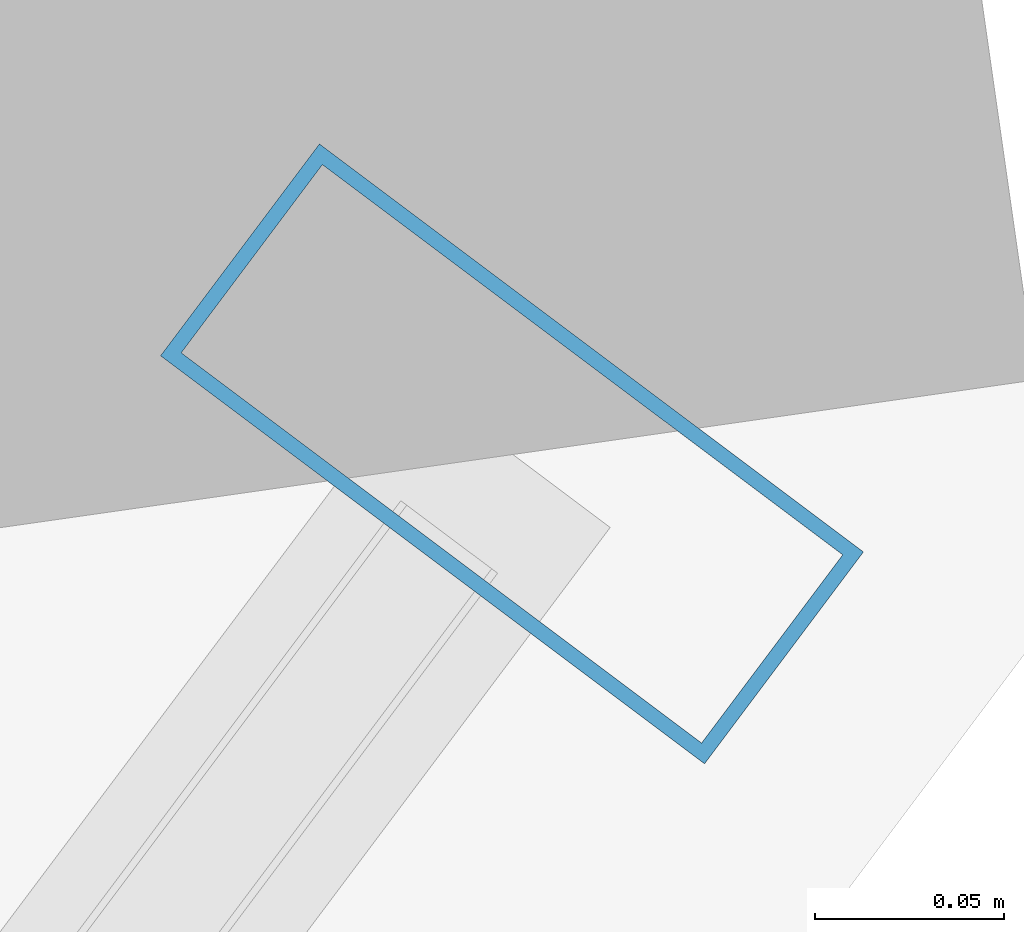
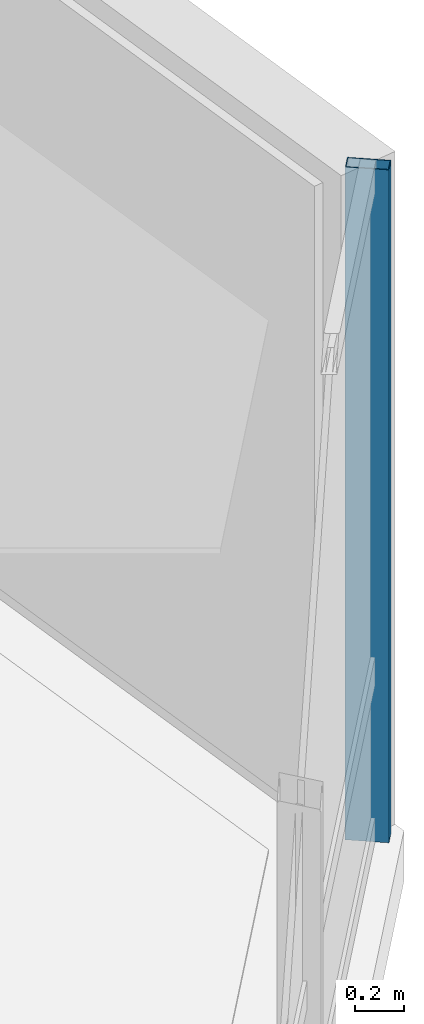
# One storey, part 12 of 30: 1 member, 1 element without a shape of its own.
"""IFC4 building model written with IfcOpenShell, lengths in metres."""

import ifcopenshell
import ifcopenshell.guid

model = None  # the IFC model being written
_history = None  # IfcOwnerHistory: only IFC2X3 demands one
_inside = {}  # id of a spatial element -> (the spatial element, [elements in it])
_under = {}  # id of a project, library or spatial element -> (it, [spatial elements below it])
_declared = {}  # id of a project -> (the project, [libraries it declares])
_typed = {}  # id of a type object -> (the type object, [elements of that type])
_made_of = {}  # id of a material, layer set ... -> (it, [elements and type objects made of it])


def new_model(schema):
    """Start an empty IFC model of exactly this schema.

    Asked for "IFC4X3", IfcOpenShell would pick the latest addendum, in which some entities
    have other attributes; the version numbers below select the first issue.
    IFC2X3 requires an IfcOwnerHistory on every rooted entity: one is made here for all.
    """
    global model, _history
    if schema == "IFC4X3":
        model = ifcopenshell.file(schema_version=(4, 3, 0, 0))
    else:
        model = ifcopenshell.file(schema=schema)
    _inside.clear()
    _under.clear()
    _declared.clear()
    _typed.clear()
    _made_of.clear()
    _history = None
    if model.schema == "IFC2X3":
        org = make("IfcOrganization", Name="unknown")
        user = make(
            "IfcPersonAndOrganization",
            ThePerson=make("IfcPerson", FamilyName="unknown"),
            TheOrganization=org,
        )
        app = make(
            "IfcApplication",
            ApplicationDeveloper=org,
            Version="unknown",
            ApplicationFullName="unknown",
            ApplicationIdentifier="unknown",
        )
        _history = make(
            "IfcOwnerHistory",
            OwningUser=user,
            OwningApplication=app,
            ChangeAction="ADDED",
            CreationDate=0,
        )
    return model


def make(cls, **values):
    """One entity of the class cls with the attributes given. An attribute that is None is left unset."""
    return model.create_entity(
        cls, **{name: value for name, value in values.items() if value is not None}
    )


def rooted(cls, **values):
    """An entity with a GlobalId (a new one), such as an element, a storey or a relation."""
    return make(cls, GlobalId=ifcopenshell.guid.new(), OwnerHistory=_history, **values)


def si_unit(unit_type, name, prefix=None):
    """IfcSIUnit, for example si_unit("LENGTHUNIT", "METRE", prefix="MILLI")."""
    return make("IfcSIUnit", UnitType=unit_type, Prefix=prefix, Name=name)


def assignment(units):
    """IfcUnitAssignment: the units of a project."""
    return None if units is None else make("IfcUnitAssignment", Units=units)


def point(xyz):
    """IfcCartesianPoint."""
    return None if xyz is None else make("IfcCartesianPoint", Coordinates=xyz)


def direction(xyz):
    """IfcDirection."""
    return None if xyz is None else make("IfcDirection", DirectionRatios=xyz)


def frame(location, z_axis=None, x_axis=None):
    """IfcAxis2Placement3D, a coordinate frame: its origin and axes. An axis left out is left unset."""
    return make(
        "IfcAxis2Placement3D",
        Location=point(location),
        Axis=direction(z_axis),
        RefDirection=direction(x_axis),
    )


def frame_2d(location, x_axis=None):
    """IfcAxis2Placement2D, a coordinate frame in the plane: its origin and x axis."""
    return make(
        "IfcAxis2Placement2D", Location=point(location), RefDirection=direction(x_axis)
    )


def origin():
    """The frame at (0, 0, 0) with its axes left unset."""
    return frame((0.0, 0.0, 0.0))


def origin_2d():
    """The frame at (0, 0) in the plane with its x axis left unset."""
    return frame_2d((0.0, 0.0))


def place(relative_to, where):
    """IfcLocalPlacement: puts the frame where relative to a parent placement (None: the world)."""
    return make(
        "IfcLocalPlacement", PlacementRelTo=relative_to, RelativePlacement=where
    )


def context(
    kind, dimensions, precision=None, world=None, true_north=None, identifier=None
):
    """IfcGeometricRepresentationContext, for example the 3D "Model" context."""
    return make(
        "IfcGeometricRepresentationContext",
        ContextIdentifier=identifier,
        ContextType=kind,
        CoordinateSpaceDimension=dimensions,
        Precision=precision,
        WorldCoordinateSystem=world,
        TrueNorth=true_north,
    )


def subcontext(parent, identifier, kind, view, scale=None):
    """IfcGeometricRepresentationSubContext, for example "Body" below "Model"."""
    return make(
        "IfcGeometricRepresentationSubContext",
        ContextIdentifier=identifier,
        ContextType=kind,
        ParentContext=parent,
        TargetScale=scale,
        TargetView=view,
    )


def project(units=None, contexts=None):
    """IfcProject with its units and contexts."""
    return rooted(
        "IfcProject",
        Name="project",
        RepresentationContexts=contexts,
        UnitsInContext=assignment(units),
    )


def spatial(cls, under=None, at=None, **own):
    """A site, building, storey or space (cls), placed at a placement, below another one or the project."""
    s = rooted(cls, ObjectPlacement=at, **own)
    if under is not None:
        _under.setdefault(under.id(), (under, []))[1].append(s)
    return s


def profile(cls, at=None, kind="AREA", **sizes):
    """A parametric profile (cls). Its sizes go by their IFC names, for example OverallWidth=200.0."""
    return make(cls, ProfileType=kind, Position=at, **sizes)


def hollow_rectangle(**sizes):
    """IfcRectangleHollowProfileDef."""
    return profile("IfcRectangleHollowProfileDef", **sizes)


def extrude(swept, where, along, depth):
    """IfcExtrudedAreaSolid: the profile swept, set in the frame where, extruded along a direction by depth."""
    return make(
        "IfcExtrudedAreaSolid",
        SweptArea=swept,
        Position=where,
        ExtrudedDirection=direction(along),
        Depth=depth,
    )


def shape(context_of_items, identifier, shape_type, items):
    """IfcShapeRepresentation: the items that make up one representation, for example the "Body"."""
    return make(
        "IfcShapeRepresentation",
        ContextOfItems=context_of_items,
        RepresentationIdentifier=identifier,
        RepresentationType=shape_type,
        Items=items,
    )


def material(Name=None, Category=None):
    """IfcMaterial."""
    return make("IfcMaterial", Name=Name, Category=Category)


def layer(
    of_material, thickness, ventilated=None, Name=None, Category=None, Priority=None
):
    """IfcMaterialLayer: one layer of a wall or slab, of a material (None: an air gap)."""
    return make(
        "IfcMaterialLayer",
        Material=of_material,
        LayerThickness=thickness,
        IsVentilated=ventilated,
        Name=Name,
        Category=Category,
        Priority=Priority,
    )


def layer_set(layers, Name=None):
    """IfcMaterialLayerSet."""
    return make("IfcMaterialLayerSet", MaterialLayers=layers, LayerSetName=Name)


def material_profile(
    of_material, cross_section, Name=None, Category=None, Priority=None
):
    """IfcMaterialProfile: a cross section and its material."""
    return make(
        "IfcMaterialProfile",
        Name=Name,
        Material=of_material,
        Profile=cross_section,
        Priority=Priority,
        Category=Category,
    )


def profile_set(profiles, Name=None, composite=None):
    """IfcMaterialProfileSet."""
    return make(
        "IfcMaterialProfileSet",
        Name=Name,
        MaterialProfiles=profiles,
        CompositeProfile=composite,
    )


def made_of(thing, what):
    """Note that an element or type object is made of a material, layer set ...; save() writes the relation."""
    if what is not None:
        _made_of.setdefault(what.id(), (what, []))[1].append(thing)
    return thing


def type_object(cls, material=None, **own):
    """A type object (cls), such as IfcWallType, which elements share."""
    return made_of(rooted(cls, **own), material)


def element(
    cls,
    number,
    at=None,
    inside=None,
    cuts=None,
    type_object=None,
    material=None,
    context=None,
    identifier="Body",
    shape_type=None,
    held_by="IfcProductDefinitionShape",
    body=None,
    shapes=None,
    **own,
):
    """One element of the class cls, such as IfcWall. Its Tag is "e" and its number.

    at: its placement. inside: the storey or other place that contains it. cuts: it is an
    opening in that element (IfcRelVoidsElement). A single representation is given by context,
    identifier, shape_type and body (its items); several are given by shapes. held_by: the class
    of the entity that holds the representations. save() writes the other relations.
    """
    e = rooted(cls, Tag="e%d" % number, ObjectPlacement=at, **own)
    if body is not None:
        shapes = [shape(context, identifier, shape_type, body)]
    if shapes is not None:
        e.Representation = make(held_by, Representations=shapes)
    if inside is not None:
        _inside.setdefault(inside.id(), (inside, []))[1].append(e)
    if cuts is not None:
        rooted(
            "IfcRelVoidsElement", RelatingBuildingElement=cuts, RelatedOpeningElement=e
        )
    if type_object is not None:
        _typed.setdefault(type_object.id(), (type_object, []))[1].append(e)
    return made_of(e, material)


def aggregate(whole, parts):
    """IfcRelAggregates: a whole, such as a stair, and the parts it consists of."""
    return rooted("IfcRelAggregates", RelatingObject=whole, RelatedObjects=parts)


def save(model, path):
    """Write the relations noted so far, then the file.

    IfcRelAggregates (storeys below a building ...), IfcRelContainedInSpatialStructure (elements
    in a storey), IfcRelDefinesByType, IfcRelAssociatesMaterial and IfcRelDeclares: one each for
    every whole, place, type object, material and project.
    """
    for whole, parts in _under.values():
        aggregate(whole, parts)
    for where, things in _inside.values():
        rooted(
            "IfcRelContainedInSpatialStructure",
            RelatedElements=things,
            RelatingStructure=where,
        )
    for kind, things in _typed.values():
        rooted("IfcRelDefinesByType", RelatedObjects=things, RelatingType=kind)
    for what, things in _made_of.values():
        rooted("IfcRelAssociatesMaterial", RelatedObjects=things, RelatingMaterial=what)
    for by, libraries in _declared.values():
        rooted("IfcRelDeclares", RelatingContext=by, RelatedDefinitions=libraries)
    model.write(path)


model = new_model("IFC4")

# Units and contexts
model_context = context("Model", 3, precision=1e-05, world=origin(), true_north=direction((0.0, 1.0)))
body_context = subcontext(model_context, "Body", "Model", "MODEL_VIEW")
ifc_project = project(units=[si_unit("LENGTHUNIT", "METRE"), si_unit("AREAUNIT", "SQUARE_METRE"), si_unit("VOLUMEUNIT", "CUBIC_METRE"), si_unit("PLANEANGLEUNIT", "RADIAN"), si_unit("MASSUNIT", "GRAM", prefix="KILO")], contexts=[model_context])

# Site, building, storey
site_placement = place(None, origin())
site = spatial("IfcSite", under=ifc_project, at=site_placement, CompositionType="ELEMENT")
building_placement = place(site_placement, origin())
building = spatial("IfcBuilding", under=site, at=building_placement, Name="Hatsunagi Terrace Concourse", CompositionType="ELEMENT")
storey_placement = place(building_placement, frame((0.0, 0.0, 101.25)))
storey = spatial("IfcBuildingStorey", under=building, at=storey_placement, Name="L26", CompositionType="ELEMENT", Elevation=101.25)

# Curtain wall, member
ifc_material_1 = material(Name="Anodised Aluminium Alloy 6063-T5", Category="aluminium")
ifc_layer = layer(ifc_material_1, 0.199951171875)
ifc_layer_set = layer_set([ifc_layer], Name="OfficeZone1_CW03")
curtain_wall_type = type_object("IfcCurtainWallType", Name="OfficeZone1_CW03", PredefinedType="NOTDEFINED", material=ifc_layer_set)
curtain_wall_placement = place(storey_placement, origin())
curtain_wall = element("IfcCurtainWall", 1, at=curtain_wall_placement, inside=storey, type_object=curtain_wall_type, Name="Unitised Curtain Wall CW-03 CW-L26-03", PredefinedType="NOTDEFINED")
ifc_material_2 = material(Name="Anodised Aluminium Alloy 6063-T5", Category="aluminium")
ifc_material_profile = material_profile(ifc_material_2, hollow_rectangle(XDim=0.070068359375, YDim=0.179931640625, WallThickness=0.00390625, at=origin_2d()), Name="ALU-MUL-180x70x4")
ifc_profile_set = profile_set([ifc_material_profile], Name="Anodised Aluminium Alloy 6063-T5")
member_type = type_object("IfcMemberType", Name="CurtainWallMullion_180x70", PredefinedType="MULLION", material=ifc_profile_set)
member_placement = place(storey_placement, frame((69.093017578125, 19.657958984375, 0.0), z_axis=(0.0, 0.0, 1.0), x_axis=(-0.599969314634, -0.800023013105, 0.0)))
member = element("IfcMember", 2, at=member_placement, type_object=member_type, Name="Curtain Wall Mullion MUL-02", PredefinedType="MULLION", context=body_context, shape_type="SweptSolid", body=[
    extrude(hollow_rectangle(XDim=0.070068359375, YDim=0.179931640625, WallThickness=0.00390625, at=origin_2d()), origin(), (0.0, 0.0, 1.0), 3.35009765625),
])
aggregate(curtain_wall, [member])

save(model, "model.ifc")
